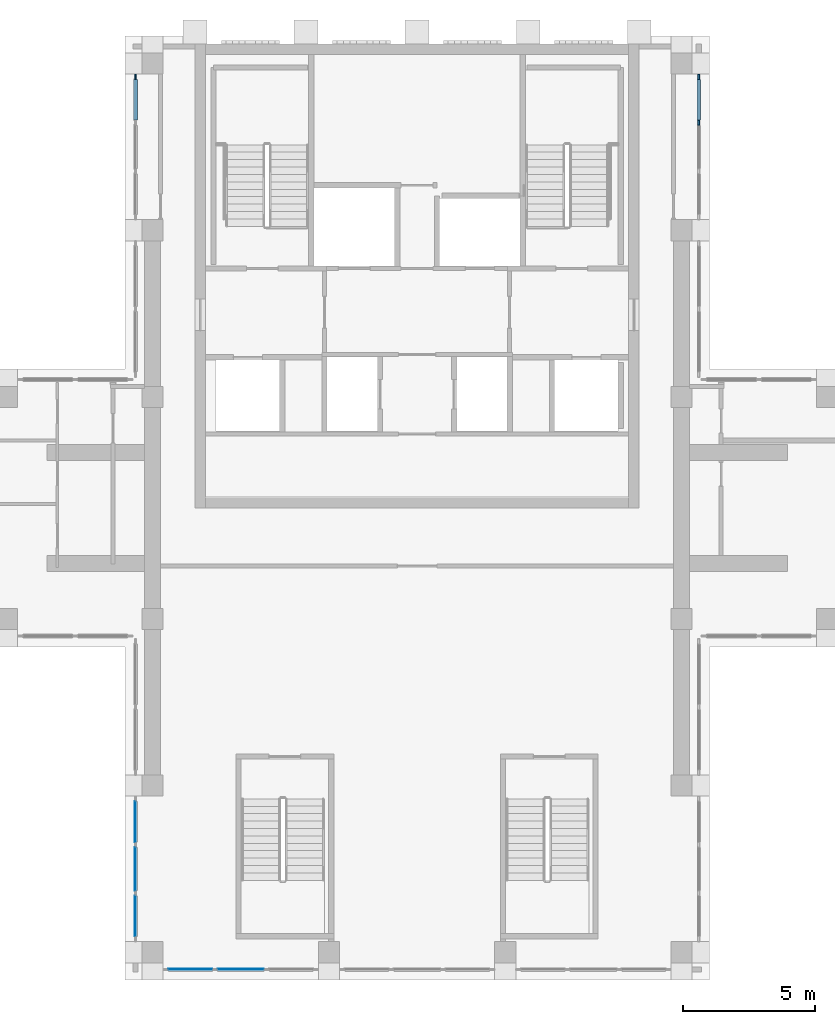
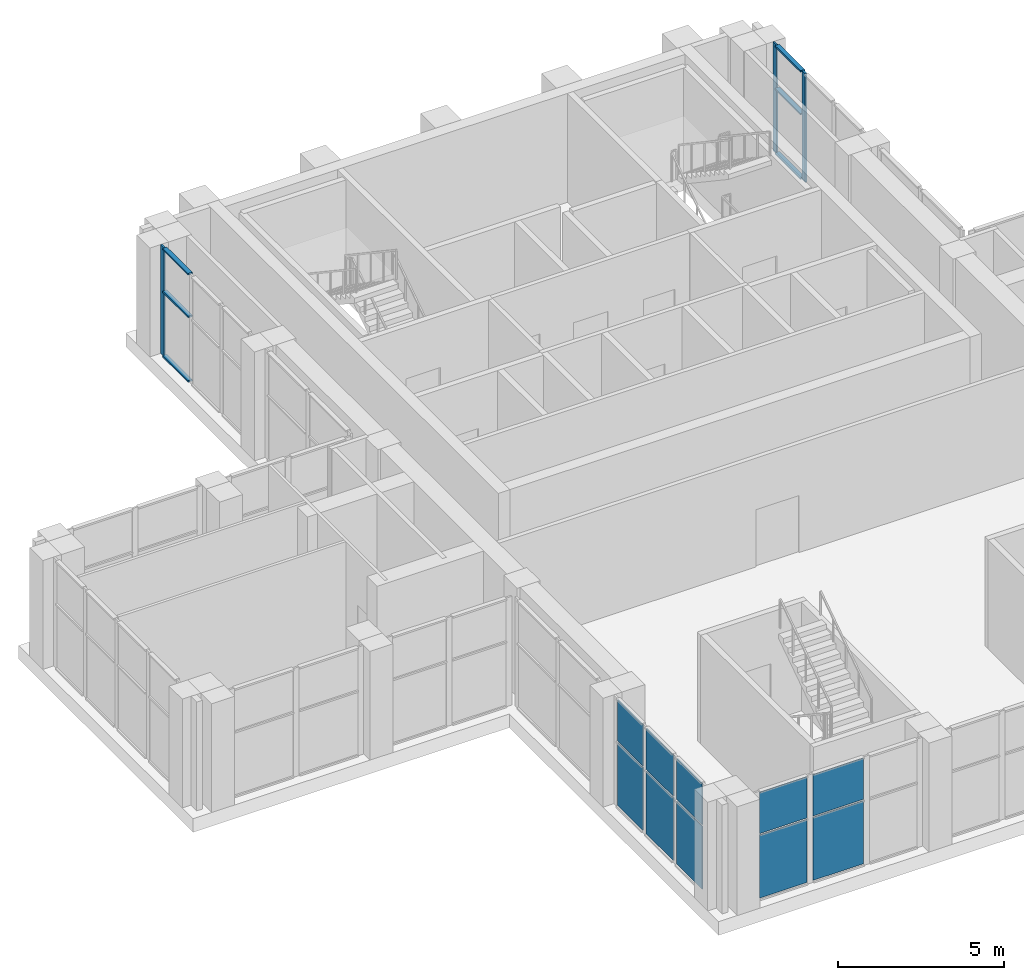
# One storey, part 6 of 15: 10 plates, 9 members, 4 elements without a shape of their own.
"""IFC4 building model written with IfcOpenShell, lengths in metres."""

from ifc_helpers import new_model, si_unit, direction, frame, origin, origin_2d, place, context, subcontext, project, spatial, rectangle, extrude, material, layer, layer_set, material_profile, profile_set, type_object, element, aggregate, save


model = new_model("IFC4")

# Units and contexts
model_context = context("Model", 3, precision=1e-05, world=origin(), true_north=direction((0.0, 1.0)))
body_context = subcontext(model_context, "Body", "Model", "MODEL_VIEW")
ifc_project = project(units=[si_unit("LENGTHUNIT", "METRE"), si_unit("AREAUNIT", "SQUARE_METRE"), si_unit("VOLUMEUNIT", "CUBIC_METRE"), si_unit("PLANEANGLEUNIT", "RADIAN"), si_unit("MASSUNIT", "GRAM", prefix="KILO")], contexts=[model_context])

# Site, building, storey
site_placement = place(None, origin())
site = spatial("IfcSite", under=ifc_project, at=site_placement, CompositionType="ELEMENT")
building_placement = place(site_placement, origin())
building = spatial("IfcBuilding", under=site, at=building_placement, Name="Vermilion Ogive Tower", CompositionType="ELEMENT")
storey_placement = place(building_placement, frame((0.0, 0.0, 293.85009765625)))
storey = spatial("IfcBuildingStorey", under=building, at=storey_placement, Name="L76", CompositionType="ELEMENT", Elevation=293.85009765625)

# Curtain wall, members
ifc_material_1 = material(Name="Low-iron laminated glazing in aluminium frame", Category="aluminium")
curtain_wall_type = type_object("IfcCurtainWallType", Name="Curtain wall CW3", PredefinedType="NOTDEFINED", material=ifc_material_1)
curtain_wall_1_placement = place(storey_placement, origin())
curtain_wall_1 = element("IfcCurtainWall", 1, at=curtain_wall_1_placement, inside=storey, type_object=curtain_wall_type, Name="CW3 glazing X42", PredefinedType="NOTDEFINED")
ifc_material_2 = material(Name="Aluminium mullion", Category="aluminium")
ifc_material_profile_1 = material_profile(ifc_material_2, rectangle(XDim=0.06005859375, YDim=0.199951171875, at=origin_2d()), Name="AL 60x200")
ifc_profile_set_1 = profile_set([ifc_material_profile_1], Name="Aluminium mullion")
member_type_1 = type_object("IfcMemberType", Name="CW3 mullion 60x200", PredefinedType="MULLION", material=ifc_profile_set_1)
member_1_placement = place(storey_placement, frame((10.64990234375, 18.7666015625, 0.0), z_axis=(0.0, 0.0, 1.0), x_axis=(-1.0, 0.0, 0.0)))
member_1 = element("IfcMember", 2, at=member_1_placement, type_object=member_type_1, Name="CW3-X42 mullion 3", PredefinedType="MULLION", context=body_context, shape_type="SweptSolid", body=[
    extrude(rectangle(XDim=0.06005859375, YDim=0.199951171875, at=origin_2d()), origin(), (0.0, 0.0, 1.0), 4.0),
])
member_2_placement = place(storey_placement, frame((10.64990234375, 20.5, 0.0), z_axis=(0.0, 0.0, 1.0), x_axis=(-1.0, 0.0, 0.0)))
member_2 = element("IfcMember", 3, at=member_2_placement, type_object=member_type_1, Name="CW3-X42 mullion 4", PredefinedType="MULLION", context=body_context, shape_type="SweptSolid", body=[
    extrude(rectangle(XDim=0.06005859375, YDim=0.199951171875, at=origin_2d()), origin(), (0.0, 0.0, 1.0), 4.0),
])

# Curtain wall, member
curtain_wall_2_placement = place(storey_placement, origin())
curtain_wall_2 = element("IfcCurtainWall", 4, at=curtain_wall_2_placement, inside=storey, type_object=curtain_wall_type, Name="CW3 glazing X51", PredefinedType="NOTDEFINED")
member_3_placement = place(storey_placement, frame((-10.64990234375, 20.5, 0.0), z_axis=(0.0, 0.0, 1.0), x_axis=(1.0, 0.0, 0.0)))
member_3 = element("IfcMember", 5, at=member_3_placement, type_object=member_type_1, Name="CW3-X51 mullion 1", PredefinedType="MULLION", context=body_context, shape_type="SweptSolid", body=[
    extrude(rectangle(XDim=0.06005859375, YDim=0.199951171875, at=origin_2d()), origin(), (0.0, 0.0, 1.0), 4.0),
])

# Member
ifc_material_3 = material(Name="Aluminium transom", Category="aluminium")
ifc_material_profile_2 = material_profile(ifc_material_3, rectangle(XDim=0.14990234375, YDim=0.06005859375, at=origin_2d()), Name="AL 60x150")
ifc_profile_set_2 = profile_set([ifc_material_profile_2], Name="Aluminium transom")
member_type_2 = type_object("IfcMemberType", Name="CW3 transom 60x150", PredefinedType="USERDEFINED", material=ifc_profile_set_2)
member_4_placement = place(storey_placement, frame((10.64990234375, 18.86669921875, 0.02978515625), z_axis=(0.0, 1.0, 0.0), x_axis=(-1.0, 0.0, 0.0)))
member_4 = element("IfcMember", 6, at=member_4_placement, type_object=member_type_2, Name="CW3-X42 transom 3.1", ObjectType="TRANSOM", PredefinedType="USERDEFINED", context=body_context, shape_type="SweptSolid", body=[
    extrude(rectangle(XDim=0.14990234375, YDim=0.06005859375, at=origin_2d()), origin(), (0.0, 0.0, 1.0), 1.533203125),
])

member_5_placement = place(storey_placement, frame((10.64990234375, 18.86669921875, 2.39990234375), z_axis=(0.0, 1.0, 0.0), x_axis=(-1.0, 0.0, 0.0)))
member_5 = element("IfcMember", 7, at=member_5_placement, type_object=member_type_2, Name="CW3-X42 transom 3.2", ObjectType="TRANSOM", PredefinedType="USERDEFINED", context=body_context, shape_type="SweptSolid", body=[
    extrude(rectangle(XDim=0.14990234375, YDim=0.06005859375, at=origin_2d()), origin(), (0.0, 0.0, 1.0), 1.533203125),
])

member_6_placement = place(storey_placement, frame((10.64990234375, 18.86669921875, 3.969970703125), z_axis=(0.0, 1.0, 0.0), x_axis=(-1.0, 0.0, 0.0)))
member_6 = element("IfcMember", 8, at=member_6_placement, type_object=member_type_2, Name="CW3-X42 transom 3.3", ObjectType="TRANSOM", PredefinedType="USERDEFINED", context=body_context, shape_type="SweptSolid", body=[
    extrude(rectangle(XDim=0.14990234375, YDim=0.06005859375, at=origin_2d()), origin(), (0.0, 0.0, 1.0), 1.533203125),
])

aggregate(curtain_wall_1, [member_1, member_2, member_4, member_5, member_6])

member_7_placement = place(storey_placement, frame((-10.64990234375, 20.39990234375, 0.02978515625), z_axis=(0.0, -1.0, 0.0), x_axis=(1.0, 0.0, 0.0)))
member_7 = element("IfcMember", 9, at=member_7_placement, type_object=member_type_2, Name="CW3-X51 transom 1.1", ObjectType="TRANSOM", PredefinedType="USERDEFINED", context=body_context, shape_type="SweptSolid", body=[
    extrude(rectangle(XDim=0.14990234375, YDim=0.06005859375, at=origin_2d()), origin(), (0.0, 0.0, 1.0), 1.533203125),
])

member_8_placement = place(storey_placement, frame((-10.64990234375, 20.39990234375, 2.39990234375), z_axis=(0.0, -1.0, 0.0), x_axis=(1.0, 0.0, 0.0)))
member_8 = element("IfcMember", 10, at=member_8_placement, type_object=member_type_2, Name="CW3-X51 transom 1.2", ObjectType="TRANSOM", PredefinedType="USERDEFINED", context=body_context, shape_type="SweptSolid", body=[
    extrude(rectangle(XDim=0.14990234375, YDim=0.06005859375, at=origin_2d()), origin(), (0.0, 0.0, 1.0), 1.533203125),
])

member_9_placement = place(storey_placement, frame((-10.64990234375, 20.39990234375, 3.969970703125), z_axis=(0.0, -1.0, 0.0), x_axis=(1.0, 0.0, 0.0)))
member_9 = element("IfcMember", 11, at=member_9_placement, type_object=member_type_2, Name="CW3-X51 transom 1.3", ObjectType="TRANSOM", PredefinedType="USERDEFINED", context=body_context, shape_type="SweptSolid", body=[
    extrude(rectangle(XDim=0.14990234375, YDim=0.06005859375, at=origin_2d()), origin(), (0.0, 0.0, 1.0), 1.533203125),
])

aggregate(curtain_wall_2, [member_3, member_7, member_8, member_9])

# Curtain wall, plates
curtain_wall_3_placement = place(storey_placement, origin())
curtain_wall_3 = element("IfcCurtainWall", 12, at=curtain_wall_3_placement, inside=storey, type_object=curtain_wall_type, Name="CW3 glazing S1", PredefinedType="NOTDEFINED")
ifc_material_4 = material(Name="Low-iron laminated glazing in aluminium frame", Category="aluminium")
ifc_layer = layer(ifc_material_4, 0.035888671875)
ifc_layer_set = layer_set([ifc_layer], Name="CW3 glazing panel 36")
plate_type = type_object("IfcPlateType", Name="CW3 glazing panel 36", PredefinedType="CURTAIN_PANEL", material=ifc_layer_set)
plate_1_placement = place(storey_placement, frame((-8.572265625, -13.25, 0.059814453125), z_axis=(0.0, 0.0, 1.0), x_axis=(1.0, 0.0, 0.0)))
plate_1 = element("IfcPlate", 13, at=plate_1_placement, type_object=plate_type, Name="CW3-S1 panel 1.1", PredefinedType="CURTAIN_PANEL", context=body_context, shape_type="SweptSolid", body=[
    extrude(rectangle(XDim=1.655517578125, YDim=0.035888671875, at=origin_2d()), origin(), (0.0, 0.0, 1.0), 2.31005859375),
])
plate_2_placement = place(storey_placement, frame((-8.572265625, -13.25, 2.4296875), z_axis=(0.0, 0.0, 1.0), x_axis=(1.0, 0.0, 0.0)))
plate_2 = element("IfcPlate", 14, at=plate_2_placement, type_object=plate_type, Name="CW3-S1 panel 1.2", PredefinedType="CURTAIN_PANEL", context=body_context, shape_type="SweptSolid", body=[
    extrude(rectangle(XDim=1.655517578125, YDim=0.035888671875, at=origin_2d()), origin(), (0.0, 0.0, 1.0), 1.510009765625),
])
plate_3_placement = place(storey_placement, frame((-6.666748046875, -13.25, 0.059814453125), z_axis=(0.0, 0.0, 1.0), x_axis=(1.0, 0.0, 0.0)))
plate_3 = element("IfcPlate", 15, at=plate_3_placement, type_object=plate_type, Name="CW3-S1 panel 2.1", PredefinedType="CURTAIN_PANEL", context=body_context, shape_type="SweptSolid", body=[
    extrude(rectangle(XDim=1.755615234375, YDim=0.035888671875, at=origin_2d()), origin(), (0.0, 0.0, 1.0), 2.31005859375),
])
plate_4_placement = place(storey_placement, frame((-6.666748046875, -13.25, 2.4296875), z_axis=(0.0, 0.0, 1.0), x_axis=(1.0, 0.0, 0.0)))
plate_4 = element("IfcPlate", 16, at=plate_4_placement, type_object=plate_type, Name="CW3-S1 panel 2.2", PredefinedType="CURTAIN_PANEL", context=body_context, shape_type="SweptSolid", body=[
    extrude(rectangle(XDim=1.755615234375, YDim=0.035888671875, at=origin_2d()), origin(), (0.0, 0.0, 1.0), 1.510009765625),
])
aggregate(curtain_wall_3, [plate_1, plate_2, plate_3, plate_4])

curtain_wall_4_placement = place(storey_placement, origin())
curtain_wall_4 = element("IfcCurtainWall", 17, at=curtain_wall_4_placement, inside=storey, type_object=curtain_wall_type, Name="CW3 glazing X82", PredefinedType="NOTDEFINED")
plate_5_placement = place(storey_placement, frame((-10.64990234375, -7.666748046875, 0.059814453125), z_axis=(0.0, 0.0, 1.0), x_axis=(0.0, -1.0, 0.0)))
plate_5 = element("IfcPlate", 18, at=plate_5_placement, type_object=plate_type, Name="CW3-X82 panel 1.1", PredefinedType="CURTAIN_PANEL", context=body_context, shape_type="SweptSolid", body=[
    extrude(rectangle(XDim=1.533447265625, YDim=0.035888671875, at=origin_2d()), origin(), (0.0, 0.0, 1.0), 2.31005859375),
])
plate_6_placement = place(storey_placement, frame((-10.64990234375, -7.666748046875, 2.4296875), z_axis=(0.0, 0.0, 1.0), x_axis=(0.0, -1.0, 0.0)))
plate_6 = element("IfcPlate", 19, at=plate_6_placement, type_object=plate_type, Name="CW3-X82 panel 1.2", PredefinedType="CURTAIN_PANEL", context=body_context, shape_type="SweptSolid", body=[
    extrude(rectangle(XDim=1.533447265625, YDim=0.035888671875, at=origin_2d()), origin(), (0.0, 0.0, 1.0), 1.510009765625),
])
plate_7_placement = place(storey_placement, frame((-10.64990234375, -9.449951171875, 0.059814453125), z_axis=(0.0, 0.0, 1.0), x_axis=(0.0, -1.0, 0.0)))
plate_7 = element("IfcPlate", 20, at=plate_7_placement, type_object=plate_type, Name="CW3-X82 panel 2.1", PredefinedType="CURTAIN_PANEL", context=body_context, shape_type="SweptSolid", body=[
    extrude(rectangle(XDim=1.63330078125, YDim=0.035888671875, at=origin_2d()), origin(), (0.0, 0.0, 1.0), 2.31005859375),
])
plate_8_placement = place(storey_placement, frame((-10.64990234375, -9.449951171875, 2.4296875), z_axis=(0.0, 0.0, 1.0), x_axis=(0.0, -1.0, 0.0)))
plate_8 = element("IfcPlate", 21, at=plate_8_placement, type_object=plate_type, Name="CW3-X82 panel 2.2", PredefinedType="CURTAIN_PANEL", context=body_context, shape_type="SweptSolid", body=[
    extrude(rectangle(XDim=1.63330078125, YDim=0.035888671875, at=origin_2d()), origin(), (0.0, 0.0, 1.0), 1.510009765625),
])
plate_9_placement = place(storey_placement, frame((-10.64990234375, -11.2333984375, 0.059814453125), z_axis=(0.0, 0.0, 1.0), x_axis=(0.0, -1.0, 0.0)))
plate_9 = element("IfcPlate", 22, at=plate_9_placement, type_object=plate_type, Name="CW3-X82 panel 3.1", PredefinedType="CURTAIN_PANEL", context=body_context, shape_type="SweptSolid", body=[
    extrude(rectangle(XDim=1.533447265625, YDim=0.035888671875, at=origin_2d()), origin(), (0.0, 0.0, 1.0), 2.31005859375),
])
plate_10_placement = place(storey_placement, frame((-10.64990234375, -11.2333984375, 2.4296875), z_axis=(0.0, 0.0, 1.0), x_axis=(0.0, -1.0, 0.0)))
plate_10 = element("IfcPlate", 23, at=plate_10_placement, type_object=plate_type, Name="CW3-X82 panel 3.2", PredefinedType="CURTAIN_PANEL", context=body_context, shape_type="SweptSolid", body=[
    extrude(rectangle(XDim=1.533447265625, YDim=0.035888671875, at=origin_2d()), origin(), (0.0, 0.0, 1.0), 1.510009765625),
])
aggregate(curtain_wall_4, [plate_5, plate_6, plate_7, plate_8, plate_9, plate_10])

save(model, "model.ifc")
